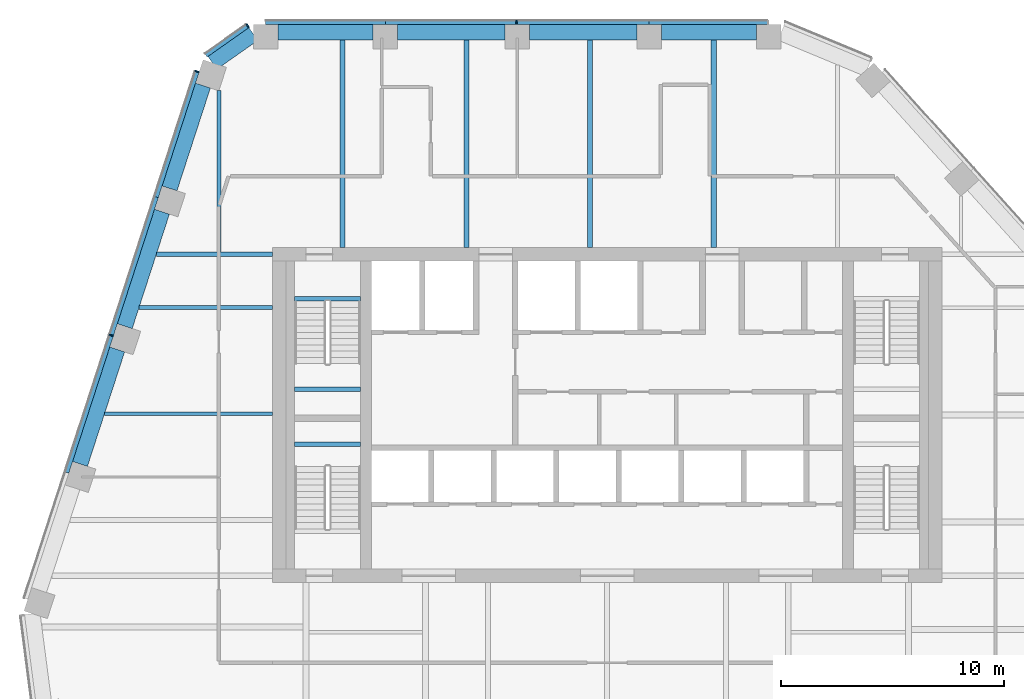
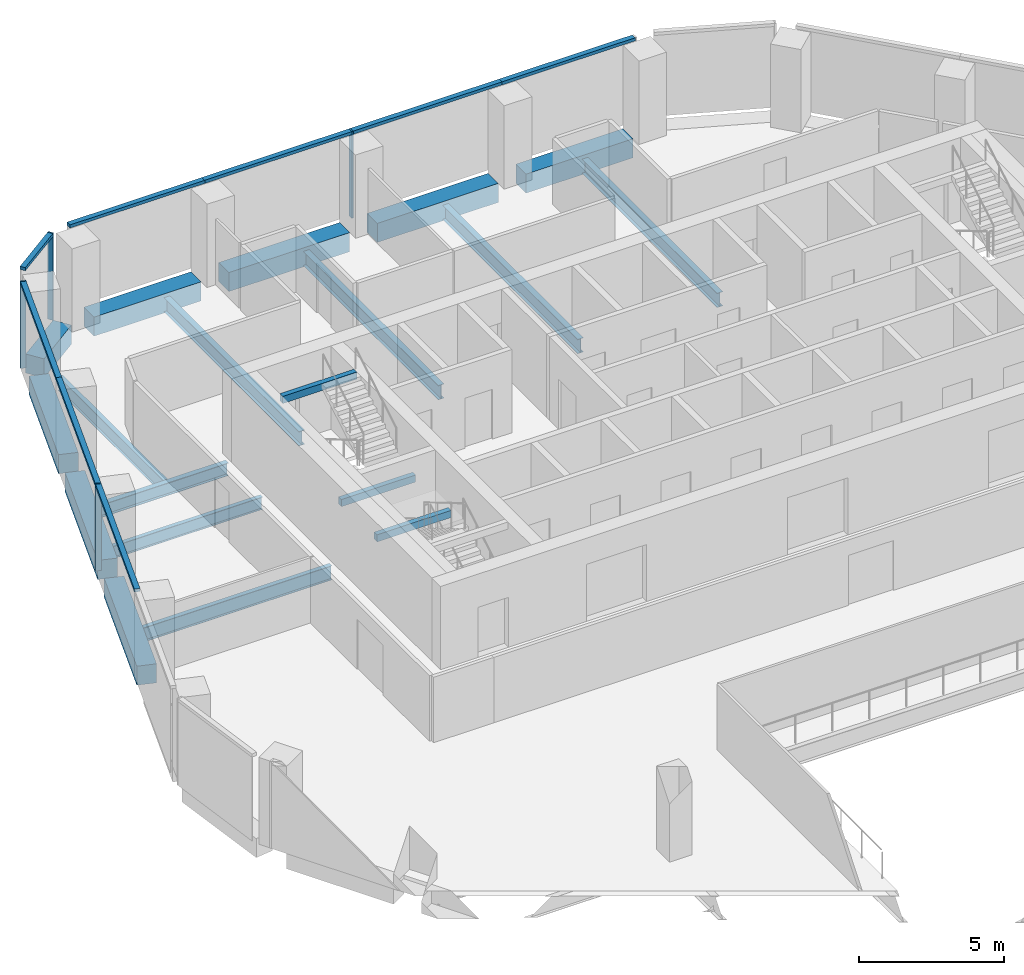
# One storey, part 6 of 15: 19 beams, 12 members, 3 elements without a shape of their own.
"""IFC4 building model written with IfcOpenShell, lengths in metres."""

from ifc_helpers import new_model, si_unit, direction, frame, origin, origin_2d, place, context, subcontext, project, spatial, rectangle, i_section, extrude, material, layer, layer_set, material_profile, profile_set, type_object, element, aggregate, save


model = new_model("IFC4")

# Units and contexts
model_context = context("Model", 3, precision=1e-05, world=origin(), true_north=direction((0.0, 1.0)))
body_context = subcontext(model_context, "Body", "Model", "MODEL_VIEW")
ifc_project = project(units=[si_unit("LENGTHUNIT", "METRE"), si_unit("AREAUNIT", "SQUARE_METRE"), si_unit("VOLUMEUNIT", "CUBIC_METRE"), si_unit("PLANEANGLEUNIT", "RADIAN"), si_unit("MASSUNIT", "GRAM", prefix="KILO")], contexts=[model_context])

# Site, building, storey
site_placement = place(None, origin())
site = spatial("IfcSite", under=ifc_project, at=site_placement, CompositionType="ELEMENT")
building_placement = place(site_placement, origin())
building = spatial("IfcBuilding", under=site, at=building_placement, Name="Isthmus Gate Tower", CompositionType="ELEMENT")
storey_placement = place(building_placement, frame((0.0, 0.0, 245.5)))
storey = spatial("IfcBuildingStorey", under=building, at=storey_placement, Name="L62", CompositionType="ELEMENT", Elevation=245.5)

# Curtain wall, member
ifc_material_1 = material(Name="Aluminium, pale champagne anodised", Category="aluminium")
ifc_layer = layer(ifc_material_1, 0.199951171875)
ifc_layer_set = layer_set([ifc_layer], Name="CW-1 UNITISED CURTAIN WALL 200 DEEP")
curtain_wall_type = type_object("IfcCurtainWallType", Name="CW-1 UNITISED CURTAIN WALL 200 DEEP", PredefinedType="NOTDEFINED", material=ifc_layer_set)
curtain_wall_1_placement = place(storey_placement, origin())
curtain_wall_1 = element("IfcCurtainWall", 1, at=curtain_wall_1_placement, inside=storey, type_object=curtain_wall_type, Name="CW-1 N L62", PredefinedType="NOTDEFINED")
ifc_material_2 = material(Name="Aluminium, pale champagne anodised", Category="aluminium")
ifc_material_profile_1 = material_profile(ifc_material_2, rectangle(XDim=0.06005859375, YDim=0.199951171875, at=origin_2d()), Name="60x200")
ifc_profile_set_1 = profile_set([ifc_material_profile_1], Name="Aluminium, pale champagne anodised")
member_type_1 = type_object("IfcMemberType", Name="CW-1 MULLION 60 X 200", PredefinedType="MULLION", material=ifc_profile_set_1)
member_1_placement = place(storey_placement, frame((-4.06005859375, 25.10009765625, 0.0), z_axis=(0.0, 0.0, 1.0), x_axis=(-1.0, 0.0, 0.0)))
member_1 = element("IfcMember", 2, at=member_1_placement, type_object=member_type_1, Name="CW-1 mullion", PredefinedType="MULLION", context=body_context, shape_type="SweptSolid", body=[
    extrude(rectangle(XDim=0.06005859375, YDim=0.199951171875, at=origin_2d()), origin(), (0.0, 0.0, 1.0), 3.64990234375),
])

curtain_wall_2_placement = place(storey_placement, origin())
curtain_wall_2 = element("IfcCurtainWall", 3, at=curtain_wall_2_placement, inside=storey, type_object=curtain_wall_type, Name="CW-1 N-NW L62", PredefinedType="NOTDEFINED")
member_2_placement = place(storey_placement, frame((-16.10595703125, 24.943115234375, 0.0), z_axis=(0.0, 0.0, 1.0), x_axis=(-0.81785959165, -0.57541783805, 0.0)))
member_2 = element("IfcMember", 4, at=member_2_placement, type_object=member_type_1, Name="CW-1 mullion", PredefinedType="MULLION", context=body_context, shape_type="SweptSolid", body=[
    extrude(rectangle(XDim=0.06005859375, YDim=0.199951171875, at=origin_2d()), origin(), (0.0, 0.0, 1.0), 3.64990234375),
])

# Curtain wall, members
curtain_wall_3_placement = place(storey_placement, origin())
curtain_wall_3 = element("IfcCurtainWall", 5, at=curtain_wall_3_placement, inside=storey, type_object=curtain_wall_type, Name="CW-1 NW L62", PredefinedType="NOTDEFINED")
member_3_placement = place(storey_placement, frame((-18.37841796875, 22.894287109375, 0.0), z_axis=(0.0, 0.0, 1.0), x_axis=(-0.309016994375, -0.951056516295, 0.0)))
member_3 = element("IfcMember", 6, at=member_3_placement, type_object=member_type_1, Name="CW-1 mullion", PredefinedType="MULLION", context=body_context, shape_type="SweptSolid", body=[
    extrude(rectangle(XDim=0.06005859375, YDim=0.199951171875, at=origin_2d()), origin(), (0.0, 0.0, 1.0), 3.64990234375),
])
member_4_placement = place(storey_placement, frame((-22.220703125, 11.069091796875, 0.0), z_axis=(0.0, 0.0, 1.0), x_axis=(-0.309016994375, -0.951056516295, 0.0)))
member_4 = element("IfcMember", 7, at=member_4_placement, type_object=member_type_1, Name="CW-1 mullion", PredefinedType="MULLION", context=body_context, shape_type="SweptSolid", body=[
    extrude(rectangle(XDim=0.06005859375, YDim=0.199951171875, at=origin_2d()), origin(), (0.0, 0.0, 1.0), 3.64990234375),
])

# Member
ifc_material_3 = material(Name="Aluminium, pale champagne anodised", Category="aluminium")
ifc_material_profile_2 = material_profile(ifc_material_3, rectangle(XDim=0.199951171875, YDim=0.1298828125, at=origin_2d()), Name="200x130")
ifc_profile_set_2 = profile_set([ifc_material_profile_2], Name="Aluminium, pale champagne anodised")
member_type_2 = type_object("IfcMemberType", Name="CW-1 TRANSOM 200 X 130", PredefinedType="USERDEFINED", material=ifc_profile_set_2)
member_5_placement = place(storey_placement, frame((7.18115234375, 25.10009765625, 3.5849609375), z_axis=(-1.0, 0.0, 0.0), x_axis=(0.0, -1.0, 0.0)))
member_5 = element("IfcMember", 8, at=member_5_placement, type_object=member_type_2, Name="CW-1 transom", ObjectType="TRANSOM", PredefinedType="USERDEFINED", context=body_context, shape_type="SweptSolid", body=[
    extrude(rectangle(XDim=0.199951171875, YDim=0.1298828125, at=origin_2d()), origin(), (0.0, 0.0, 1.0), 5.300537109375),
])

member_6_placement = place(storey_placement, frame((1.880615234375, 25.10009765625, 3.5849609375), z_axis=(-1.0, 0.0, 0.0), x_axis=(0.0, -1.0, 0.0)))
member_6 = element("IfcMember", 9, at=member_6_placement, type_object=member_type_2, Name="CW-1 transom", ObjectType="TRANSOM", PredefinedType="USERDEFINED", context=body_context, shape_type="SweptSolid", body=[
    extrude(rectangle(XDim=0.199951171875, YDim=0.1298828125, at=origin_2d()), origin(), (0.0, 0.0, 1.0), 5.91064453125),
])

member_7_placement = place(storey_placement, frame((-4.090087890625, 25.10009765625, 3.5849609375), z_axis=(-1.0, 0.0, 0.0), x_axis=(0.0, -1.0, 0.0)))
member_7 = element("IfcMember", 10, at=member_7_placement, type_object=member_type_2, Name="CW-1 transom", ObjectType="TRANSOM", PredefinedType="USERDEFINED", context=body_context, shape_type="SweptSolid", body=[
    extrude(rectangle(XDim=0.199951171875, YDim=0.1298828125, at=origin_2d()), origin(), (0.0, 0.0, 1.0), 5.8505859375),
])

member_8_placement = place(storey_placement, frame((-9.940673828125, 25.10009765625, 3.5849609375), z_axis=(-1.0, 0.0, 0.0), x_axis=(0.0, -1.0, 0.0)))
member_8 = element("IfcMember", 11, at=member_8_placement, type_object=member_type_2, Name="CW-1 transom", ObjectType="TRANSOM", PredefinedType="USERDEFINED", context=body_context, shape_type="SweptSolid", body=[
    extrude(rectangle(XDim=0.199951171875, YDim=0.1298828125, at=origin_2d()), origin(), (0.0, 0.0, 1.0), 5.360595703125),
])

aggregate(curtain_wall_1, [member_5, member_6, member_1, member_7, member_8])

member_9_placement = place(storey_placement, frame((-16.130615234375, 24.92578125, 3.5849609375), z_axis=(-0.817868595604, -0.575405040233, 0.0), x_axis=(0.575405040233, -0.817868595604, 0.0)))
member_9 = element("IfcMember", 12, at=member_9_placement, type_object=member_type_2, Name="CW-1 transom", ObjectType="TRANSOM", PredefinedType="USERDEFINED", context=body_context, shape_type="SweptSolid", body=[
    extrude(rectangle(XDim=0.199951171875, YDim=0.1298828125, at=origin_2d()), origin(), (0.0, 0.0, 1.0), 2.258544921875),
])

aggregate(curtain_wall_2, [member_2, member_9])

member_10_placement = place(storey_placement, frame((-18.3876953125, 22.86572265625, 3.5849609375), z_axis=(-0.309021311898, -0.951055113436, 0.0), x_axis=(0.951055113436, -0.309021311898, 0.0)))
member_10 = element("IfcMember", 13, at=member_10_placement, type_object=member_type_2, Name="CW-1 transom", ObjectType="TRANSOM", PredefinedType="USERDEFINED", context=body_context, shape_type="SweptSolid", body=[
    extrude(rectangle(XDim=0.199951171875, YDim=0.1298828125, at=origin_2d()), origin(), (0.0, 0.0, 1.0), 5.8818359375),
])

member_11_placement = place(storey_placement, frame((-20.205322265625, 17.271728515625, 3.5849609375), z_axis=(-0.309020593362, -0.951055346906, 0.0), x_axis=(0.951055346906, -0.309020593362, 0.0)))
member_11 = element("IfcMember", 14, at=member_11_placement, type_object=member_type_2, Name="CW-1 transom", ObjectType="TRANSOM", PredefinedType="USERDEFINED", context=body_context, shape_type="SweptSolid", body=[
    extrude(rectangle(XDim=0.199951171875, YDim=0.1298828125, at=origin_2d()), origin(), (0.0, 0.0, 1.0), 6.49169921875),
])

member_12_placement = place(storey_placement, frame((-22.22998046875, 11.04052734375, 3.5849609375), z_axis=(-0.309010542947, -0.951058612467, 0.0), x_axis=(0.951058612467, -0.309010542947, 0.0)))
member_12 = element("IfcMember", 15, at=member_12_placement, type_object=member_type_2, Name="CW-1 transom", ObjectType="TRANSOM", PredefinedType="USERDEFINED", context=body_context, shape_type="SweptSolid", body=[
    extrude(rectangle(XDim=0.199951171875, YDim=0.1298828125, at=origin_2d()), origin(), (0.0, 0.0, 1.0), 6.431884765625),
])

aggregate(curtain_wall_3, [member_3, member_10, member_11, member_4, member_12])

# Beams
ifc_material_4 = material(Name="Concrete f'c 50 MPa", Category="concrete")
ifc_material_profile_3 = material_profile(ifc_material_4, rectangle(XDim=0.699951171875, YDim=0.800048828125, at=origin_2d()), Name="RC 700X800")
ifc_profile_set_3 = profile_set([ifc_material_profile_3], Name="Concrete f'c 50 MPa")
beam_type_1 = type_object("IfcBeamType", Name="RC SPANDREL 700 X 800", PredefinedType="SPANDREL", material=ifc_profile_set_3)
for number, where, z_axis, x_axis, name in (
    (16, (-23.61962890625, 5.307373046875, -0.39990234375), (0.309032831924, 0.951051370218, 0.0), (-0.951051370218, 0.309032831924, 0.0), "str-spandrel-L62-22"),
    (17, (-21.613525390625, 11.481689453125, -0.39990234375), (0.309032831924, 0.951051370218, 0.0), (-0.951051370218, 0.309032831924, 0.0), "str-spandrel-L62-23"),
):
    element("IfcBeam", number, at=place(storey_placement, frame(where, z_axis=z_axis, x_axis=x_axis)), inside=storey, type_object=beam_type_1, Name=name, PredefinedType="SPANDREL", context=body_context, shape_type="SweptSolid", body=[
        extrude(rectangle(XDim=0.699951171875, YDim=0.800048828125, at=origin_2d()), origin(), (0.0, 0.0, 1.0), 5.391845703125),
    ])
beam_1_placement = place(storey_placement, frame((-19.607421875, 17.65576171875, -0.39990234375), z_axis=(0.309033626624, 0.951051111989, 0.0), x_axis=(-0.951051111989, 0.309033626624, 0.0)))
element("IfcBeam", 18, at=beam_1_placement, inside=storey, type_object=beam_type_1, Name="str-spandrel-L62-24", PredefinedType="SPANDREL", context=body_context, shape_type="SweptSolid", body=[
    extrude(rectangle(XDim=0.699951171875, YDim=0.800048828125, at=origin_2d()), origin(), (0.0, 0.0, 1.0), 4.842041015625),
])
beam_2_placement = place(storey_placement, frame((-17.68798828125, 23.27978515625, -0.39990234375), z_axis=(0.817855686701, 0.575423388237, 0.0), x_axis=(-0.575423388237, 0.817855686701, 0.0)))
element("IfcBeam", 19, at=beam_2_placement, inside=storey, type_object=beam_type_1, Name="str-spandrel-L62-25", PredefinedType="SPANDREL", context=body_context, shape_type="SweptSolid", body=[
    extrude(rectangle(XDim=0.699951171875, YDim=0.800048828125, at=origin_2d()), origin(), (0.0, 0.0, 1.0), 2.24560546875),
])
beam_3_placement = place(storey_placement, frame((-14.751220703125, 24.64990234375, -0.39990234375), z_axis=(1.0, 0.0, 0.0), x_axis=(0.0, 1.0, 0.0)))
element("IfcBeam", 20, at=beam_3_placement, inside=storey, type_object=beam_type_1, Name="str-spandrel-L62-26", PredefinedType="SPANDREL", context=body_context, shape_type="SweptSolid", body=[
    extrude(rectangle(XDim=0.699951171875, YDim=0.800048828125, at=origin_2d()), origin(), (0.0, 0.0, 1.0), 4.260498046875),
])
for number, where, z_axis, x_axis, name in (
    (21, (-9.390625, 24.64990234375, -0.39990234375), (1.0, 0.0, 0.0), (0.0, 1.0, 0.0), "str-spandrel-L62-27"),
    (22, (-3.47998046875, 24.64990234375, -0.39990234375), (1.0, 0.0, 0.0), (0.0, 1.0, 0.0), "str-spandrel-L62-28"),
):
    element("IfcBeam", number, at=place(storey_placement, frame(where, z_axis=z_axis, x_axis=x_axis)), inside=storey, type_object=beam_type_1, Name=name, PredefinedType="SPANDREL", context=body_context, shape_type="SweptSolid", body=[
        extrude(rectangle(XDim=0.699951171875, YDim=0.800048828125, at=origin_2d()), origin(), (0.0, 0.0, 1.0), 4.810546875),
    ])
beam_4_placement = place(storey_placement, frame((2.430419921875, 24.64990234375, -0.39990234375), z_axis=(1.0, 0.0, 0.0), x_axis=(0.0, 1.0, 0.0)))
element("IfcBeam", 23, at=beam_4_placement, inside=storey, type_object=beam_type_1, Name="str-spandrel-L62-29", PredefinedType="SPANDREL", context=body_context, shape_type="SweptSolid", body=[
    extrude(rectangle(XDim=0.699951171875, YDim=0.800048828125, at=origin_2d()), origin(), (0.0, 0.0, 1.0), 4.2607421875),
])
ifc_material_5 = material(Name="Concrete f'c 40 MPa", Category="concrete")
ifc_material_profile_4 = material_profile(ifc_material_5, rectangle(XDim=0.199951171875, YDim=0.300048828125, at=origin_2d()), Name="STAIR LANDING BEAM RC 200 X 300")
ifc_profile_set_4 = profile_set([ifc_material_profile_4], Name="Concrete f'c 40 MPa")
beam_type_2 = type_object("IfcBeamType", Name="STAIR LANDING BEAM RC 200 X 300", PredefinedType="BEAM", material=ifc_profile_set_4)
for number, where, z_axis, x_axis, name in (
    (24, (-14.0, 8.64990234375, 1.47509765625), (1.0, 0.0, 0.0), (0.0, 1.0, 0.0), "L62 ST1 landing beam 1"),
    (25, (-14.0, 12.7001953125, 3.35009765625), (1.0, 0.0, 0.0), (0.0, 1.0, 0.0), "L62 ST1 floor-edge seat beam"),
    (26, (-14.0, 6.199951171875, 1.47509765625), (1.0, 0.0, 0.0), (0.0, 1.0, 0.0), "L62 ST7 landing beam 1"),
):
    element("IfcBeam", number, at=place(storey_placement, frame(where, z_axis=z_axis, x_axis=x_axis)), inside=storey, type_object=beam_type_2, Name=name, PredefinedType="BEAM", context=body_context, shape_type="SweptSolid", body=[
        extrude(rectangle(XDim=0.199951171875, YDim=0.300048828125, at=origin_2d()), origin(), (0.0, 0.0, 1.0), 2.949951171875),
    ])
ifc_material_6 = material(Name="Structural steel ASTM A992 Gr 50", Category="steel")
ifc_material_profile_5 = material_profile(ifc_material_6, i_section(OverallWidth=0.1650390625, OverallDepth=0.52392578125, WebThickness=0.009521484375, FlangeThickness=0.010986328125, at=origin_2d()), Name="W21X44")
ifc_profile_set_5 = profile_set([ifc_material_profile_5], Name="Structural steel ASTM A992 Gr 50")
beam_type_3 = type_object("IfcBeamType", Name="STEEL FLOOR BEAM W21X44", PredefinedType="JOIST", material=ifc_profile_set_5)
beam_5_placement = place(storey_placement, frame((-20.973388671875, 12.319091796875, -0.411865234375), z_axis=(1.0, 0.0, 0.0), x_axis=(0.0, 1.0, 0.0)))
element("IfcBeam", 27, at=beam_5_placement, inside=storey, type_object=beam_type_3, Name="str-beam-L62-00-02", PredefinedType="JOIST", context=body_context, shape_type="SweptSolid", body=[
    extrude(i_section(OverallWidth=0.1650390625, OverallDepth=0.52392578125, WebThickness=0.009521484375, FlangeThickness=0.010986328125, at=origin_2d()), origin(), (0.0, 0.0, 1.0), 5.973388671875),
])
ifc_material_7 = material(Name="Structural steel ASTM A992 Gr 50", Category="steel")
ifc_material_profile_6 = material_profile(ifc_material_7, i_section(OverallWidth=0.177734375, OverallDepth=0.60009765625, WebThickness=0.009521484375, FlangeThickness=0.0126953125, at=origin_2d()), Name="W24X55")
ifc_profile_set_6 = profile_set([ifc_material_profile_6], Name="Structural steel ASTM A992 Gr 50")
beam_type_4 = type_object("IfcBeamType", Name="STEEL FLOOR BEAM W24X55", PredefinedType="JOIST", material=ifc_profile_set_6)
beam_6_placement = place(storey_placement, frame((-22.520751953125, 7.55712890625, -0.449951171875), z_axis=(1.0, 0.0, 0.0), x_axis=(0.0, 1.0, 0.0)))
element("IfcBeam", 28, at=beam_6_placement, inside=storey, type_object=beam_type_4, Name="str-beam-L62-00-01", PredefinedType="JOIST", context=body_context, shape_type="SweptSolid", body=[
    extrude(i_section(OverallWidth=0.177734375, OverallDepth=0.60009765625, WebThickness=0.009521484375, FlangeThickness=0.0126953125, at=origin_2d()), origin(), (0.0, 0.0, 1.0), 7.520751953125),
])
beam_7_placement = place(storey_placement, frame((-17.394287109375, 14.8046875, -0.449951171875), z_axis=(0.0, 1.0, 0.0), x_axis=(-1.0, 0.0, 0.0)))
element("IfcBeam", 29, at=beam_7_placement, inside=storey, type_object=beam_type_4, Name="str-beam-L62-05-00", PredefinedType="JOIST", context=body_context, shape_type="SweptSolid", body=[
    extrude(i_section(OverallWidth=0.177734375, OverallDepth=0.60009765625, WebThickness=0.009521484375, FlangeThickness=0.0126953125, at=origin_2d()), origin(), (0.0, 0.0, 1.0), 7.235107421875),
])
ifc_material_8 = material(Name="Structural steel ASTM A992 Gr 50", Category="steel")
ifc_material_profile_7 = material_profile(ifc_material_8, i_section(OverallWidth=0.228515625, OverallDepth=0.603271484375, WebThickness=0.010986328125, FlangeThickness=0.014404296875, at=origin_2d()), Name="W24X68")
ifc_profile_set_7 = profile_set([ifc_material_profile_7], Name="Structural steel ASTM A992 Gr 50")
beam_type_5 = type_object("IfcBeamType", Name="STEEL FLOOR BEAM W24X68", PredefinedType="JOIST", material=ifc_profile_set_7)
for number, where, z_axis, x_axis, name in (
    (30, (-11.8515625, 15.0, -0.45166015625), (0.0, 1.0, 0.0), (-1.0, 0.0, 0.0), "str-beam-L62-05-01"),
    (31, (-6.308837890625, 15.0, -0.45166015625), (0.0, 1.0, 0.0), (-1.0, 0.0, 0.0), "str-beam-L62-05-02"),
    (32, (-0.76611328125, 15.0, -0.45166015625), (0.0, 1.0, 0.0), (-1.0, 0.0, 0.0), "str-beam-L62-05-03"),
    (33, (4.776611328125, 15.0, -0.45166015625), (0.0, 1.0, 0.0), (-1.0, 0.0, 0.0), "str-beam-L62-05-04"),
):
    element("IfcBeam", number, at=place(storey_placement, frame(where, z_axis=z_axis, x_axis=x_axis)), inside=storey, type_object=beam_type_5, Name=name, PredefinedType="JOIST", context=body_context, shape_type="SweptSolid", body=[
        extrude(i_section(OverallWidth=0.228515625, OverallDepth=0.603271484375, WebThickness=0.010986328125, FlangeThickness=0.014404296875, at=origin_2d()), origin(), (0.0, 0.0, 1.0), 9.300048828125),
    ])
ifc_material_9 = material(Name="Structural steel ASTM A992 Gr 50", Category="steel")
ifc_material_profile_8 = material_profile(ifc_material_9, i_section(OverallWidth=0.20947265625, OverallDepth=0.533447265625, WebThickness=0.009521484375, FlangeThickness=0.015869140625, at=origin_2d()), Name="W21X62")
ifc_profile_set_8 = profile_set([ifc_material_profile_8], Name="Structural steel ASTM A992 Gr 50")
beam_type_6 = type_object("IfcBeamType", Name="STEEL GIRDER W21X62", PredefinedType="BEAM", material=ifc_profile_set_8)
beam_8_placement = place(storey_placement, frame((-15.0, 14.699951171875, -0.416748046875), z_axis=(-1.0, 0.0, 0.0), x_axis=(0.0, -1.0, 0.0)))
element("IfcBeam", 34, at=beam_8_placement, inside=storey, type_object=beam_type_6, Name="str-girder-L62-11", PredefinedType="BEAM", context=body_context, shape_type="SweptSolid", body=[
    extrude(i_section(OverallWidth=0.20947265625, OverallDepth=0.533447265625, WebThickness=0.009521484375, FlangeThickness=0.015869140625, at=origin_2d()), origin(), (0.0, 0.0, 1.0), 5.19970703125),
])

save(model, "model.ifc")
